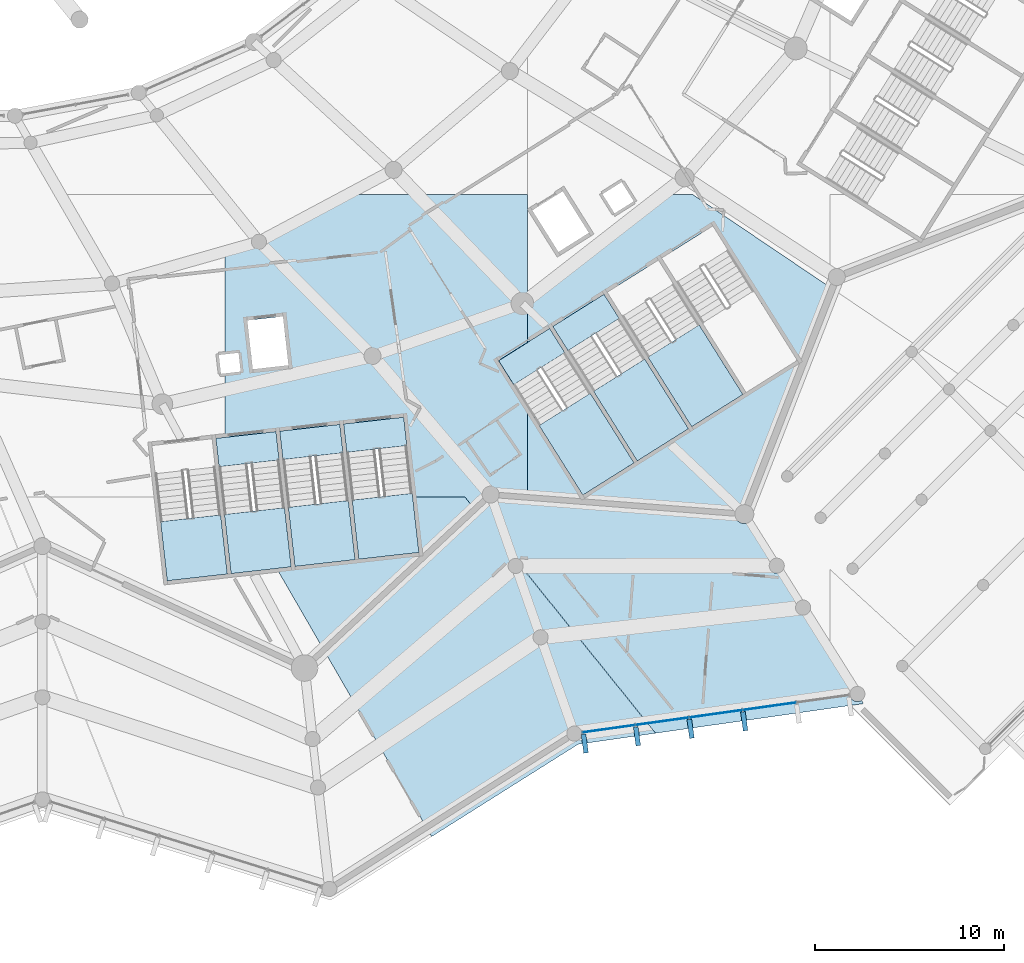
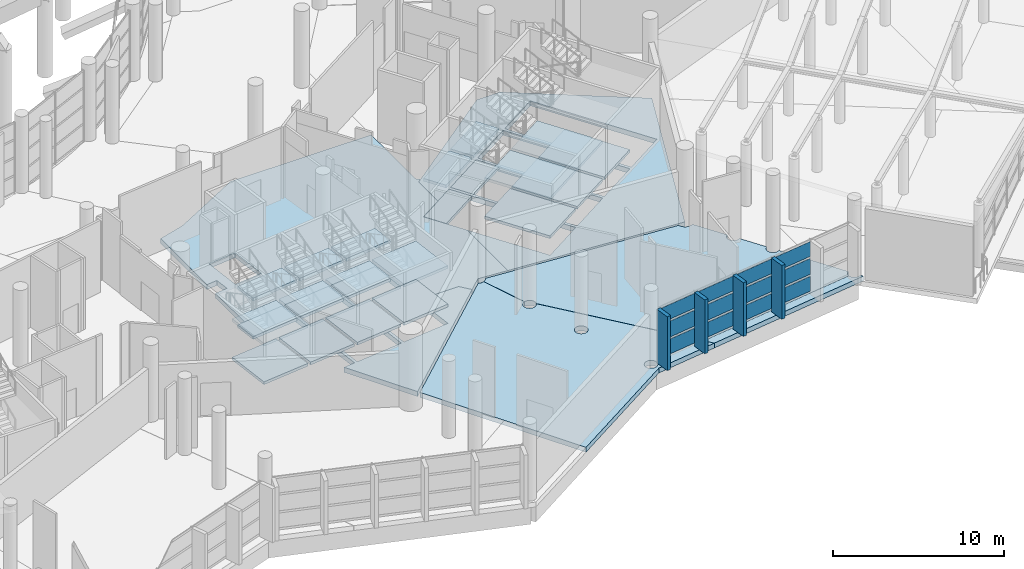
# One storey, part 127 of 271: 29 slabs, 16 plates, 8 elements without a shape of their own.
"""IFC4 building model written with IfcOpenShell, lengths in metres."""

from ifc_helpers import new_model, si_unit, direction, frame, origin, origin_2d, place, context, subcontext, project, spatial, polyline, rectangle, outline, extrude, material, layer, layer_set, type_object, element, aggregate, save


model = new_model("IFC4")

# Units and contexts
model_context = context("Model", 3, precision=1e-05, world=origin(), true_north=direction((0.0, 1.0)))
body_context = subcontext(model_context, "Body", "Model", "MODEL_VIEW")
ifc_project = project(units=[si_unit("LENGTHUNIT", "METRE"), si_unit("AREAUNIT", "SQUARE_METRE"), si_unit("VOLUMEUNIT", "CUBIC_METRE"), si_unit("PLANEANGLEUNIT", "RADIAN"), si_unit("MASSUNIT", "GRAM", prefix="KILO")], contexts=[model_context])

# Site, building, storey
site_placement = place(None, origin())
site = spatial("IfcSite", under=ifc_project, at=site_placement, CompositionType="ELEMENT")
building_placement = place(site_placement, origin())
building = spatial("IfcBuilding", under=site, at=building_placement, Name="Meseta Stadium", CompositionType="ELEMENT")
storey_placement = place(building_placement, frame((0.0, 0.0, 6.5)))
storey = spatial("IfcBuildingStorey", under=building, at=storey_placement, Name="L01", CompositionType="ELEMENT", Elevation=6.5)

# Slabs
ifc_material_1 = material(Name="Concrete C40/50", Category="concrete")
ifc_layer_1 = layer(ifc_material_1, 0.35009765625)
ifc_layer_set_1 = layer_set([ifc_layer_1], Name="Floor slab 350")
slab_type_1 = type_object("IfcSlabType", Name="Floor slab 350", PredefinedType="FLOOR", material=ifc_layer_set_1)
slab_1_placement = place(storey_placement, frame((0.0, 0.0, -0.35009765625)))
element("IfcSlab", 1, at=slab_1_placement, inside=storey, type_object=slab_type_1, Name="Floor slab L01 sector 49 panel 06", PredefinedType="FLOOR", context=body_context, shape_type="SweptSolid", body=[
    extrude(outline(polyline([(50.72998046875, -99.783447265625), (53.224609375, -104.099365234375), (61.21435546875, -96.653076171875), (60.687255859375, -96.0), (57.92529296875, -96.0), (58.256103515625, -98.935302734375), (55.076171875, -99.293701171875), (54.705078125, -96.0), (54.50390625, -96.0), (54.87744140625, -99.316162109375), (51.697509765625, -99.67431640625), (51.28369140625, -96.0), (51.082275390625, -96.0), (51.498779296875, -99.69677734375), (50.72998046875, -99.783447265625)])), origin(), (0.0, 0.0, 1.0), 0.35009765625),
])
slab_2_placement = place(storey_placement, frame((0.0, 0.0, -0.35009765625)))
element("IfcSlab", 2, at=slab_2_placement, inside=storey, type_object=slab_type_1, Name="Floor slab L01 sector 49 panel 07", PredefinedType="FLOOR", context=body_context, shape_type="SweptSolid", body=[
    extrude(outline(polyline([(62.051513671875, -95.872802734375), (64.0, -96.023193359375), (64.0, -91.239990234375), (62.45947265625, -88.788330078125), (64.0, -87.8203125), (64.0, -85.5615234375), (64.224365234375, -85.386962890625), (64.0, -85.181396484375), (64.0, -80.0), (54.4716796875, -80.0), (49.791015625, -82.498779296875), (48.0, -83.007568359375), (48.0, -88.452880859375), (48.71337890625, -88.37255859375), (48.825439453125, -89.3662109375), (48.0, -89.459228515625), (48.0, -92.845458984375), (50.692626953125, -92.5419921875), (51.082275390625, -96.0), (51.28369140625, -96.0), (50.8916015625, -92.519775390625), (54.0712890625, -92.161376953125), (54.50390625, -96.0), (54.705078125, -96.0), (54.27001953125, -92.138916015625), (57.449951171875, -91.78076171875), (57.92529296875, -96.0), (60.687255859375, -96.0), (61.21435546875, -96.653076171875), (62.051513671875, -95.872802734375)]), holes=[polyline([(49.174560546875, -86.66015625), (51.0625, -86.447265625), (51.353759765625, -89.031005859375), (49.4658203125, -89.24365234375), (49.174560546875, -86.66015625)])]), origin(), (0.0, 0.0, 1.0), 0.35009765625),
])
slab_3_placement = place(storey_placement, frame((0.0, 0.0, -0.35009765625)))
element("IfcSlab", 3, at=slab_3_placement, inside=storey, type_object=slab_type_1, Name="Floor slab L01 sector 49 panel 11", PredefinedType="FLOOR", context=body_context, shape_type="SweptSolid", body=[
    extrude(outline(polyline([(64.0, -91.239990234375), (64.0, -96.023193359375), (75.474609375, -96.908447265625), (75.825927734375, -96.00732421875), (75.818115234375, -96.0), (75.828857421875, -96.0), (80.124267578125, -84.98388671875), (72.741455078125, -80.0), (71.144287109375, -80.0), (64.0, -85.5615234375), (64.0, -87.8203125), (65.1689453125, -87.085693359375), (69.63818359375, -94.1982421875), (66.9287109375, -95.90087890625), (64.0, -91.239990234375)]), holes=[polyline([(65.33837890625, -86.9794921875), (68.0478515625, -85.27685546875), (72.516845703125, -92.389404296875), (69.807373046875, -94.091796875), (65.33837890625, -86.9794921875)]), polyline([(68.21728515625, -85.17041015625), (70.9267578125, -83.468017578125), (75.395751953125, -90.58056640625), (72.686279296875, -92.282958984375), (68.21728515625, -85.17041015625)]), polyline([(71.09619140625, -83.361572265625), (73.8056640625, -81.6591796875), (78.274658203125, -88.771484375), (75.565185546875, -90.47412109375), (71.09619140625, -83.361572265625)])]), origin(), (0.0, 0.0, 1.0), 0.35009765625),
])
slab_4_placement = place(storey_placement, frame((0.0, 0.0, -0.35009765625)))
element("IfcSlab", 4, at=slab_4_placement, inside=storey, type_object=slab_type_1, Name="Ring floor slab L01 7 part 2 panel 03", PredefinedType="FLOOR", context=body_context, shape_type="SweptSolid", body=[
    extrude(outline(polyline([(63.372802734375, -100.0517578125), (63.268310546875, -100.0380859375), (63.1708984375, -99.997802734375), (63.08740234375, -99.93359375), (63.023193359375, -99.85009765625), (62.98291015625, -99.752685546875), (62.96923828125, -99.648193359375), (62.98291015625, -99.543701171875), (63.023193359375, -99.446533203125), (63.08740234375, -99.363037109375), (63.1708984375, -99.298828125), (63.240478515625, -99.270263671875), (62.200439453125, -96.298095703125), (62.1689453125, -96.31103515625), (62.051513671875, -96.32666015625), (61.93408203125, -96.31103515625), (61.842041015625, -96.27294921875), (53.3017578125, -104.232666015625), (58.92919921875, -113.96826171875), (66.675537109375, -109.087158203125), (70.776611328125, -108.501708984375), (63.74658203125, -99.790771484375), (63.72216796875, -99.85009765625), (63.657958984375, -99.93359375), (63.574462890625, -99.997802734375), (63.47705078125, -100.0380859375), (63.372802734375, -100.0517578125)]), holes=[polyline([(66.82666015625, -108.319091796875), (66.866943359375, -108.416259765625), (66.880859375, -108.520751953125), (66.866943359375, -108.625244140625), (66.82666015625, -108.722412109375), (66.7626953125, -108.805908203125), (66.678955078125, -108.8701171875), (66.581787109375, -108.910400390625), (66.477294921875, -108.92431640625), (66.372802734375, -108.910400390625), (66.275634765625, -108.8701171875), (66.19189453125, -108.805908203125), (66.1279296875, -108.722412109375), (66.087646484375, -108.625244140625), (66.073974609375, -108.520751953125), (66.087646484375, -108.416259765625), (66.1279296875, -108.319091796875), (66.19189453125, -108.235595703125), (66.275634765625, -108.17138671875), (66.372802734375, -108.131103515625), (66.477294921875, -108.1171875), (66.581787109375, -108.131103515625), (66.678955078125, -108.17138671875), (66.7626953125, -108.235595703125), (66.82666015625, -108.319091796875)]), polyline([(65.08349609375, -103.5283203125), (65.043212890625, -103.62548828125), (64.97900390625, -103.708984375), (64.8955078125, -103.773193359375), (64.798095703125, -103.8134765625), (64.69384765625, -103.8271484375), (64.58935546875, -103.8134765625), (64.4921875, -103.773193359375), (64.408447265625, -103.708984375), (64.344482421875, -103.62548828125), (64.30419921875, -103.5283203125), (64.290283203125, -103.423828125), (64.30419921875, -103.3193359375), (64.344482421875, -103.22216796875), (64.408447265625, -103.138427734375), (64.4921875, -103.074462890625), (64.58935546875, -103.0341796875), (64.69384765625, -103.020263671875), (64.798095703125, -103.0341796875), (64.8955078125, -103.074462890625), (64.97900390625, -103.138427734375), (65.043212890625, -103.22216796875), (65.08349609375, -103.3193359375), (65.09716796875, -103.423828125), (65.08349609375, -103.5283203125)])]), origin(), (0.0, 0.0, 1.0), 0.35009765625),
])
slab_5_placement = place(storey_placement, frame((0.0, 0.0, -0.35009765625)))
element("IfcSlab", 5, at=slab_5_placement, inside=storey, type_object=slab_type_1, Name="Ring floor slab L01 7 part 2 panel 04", PredefinedType="FLOOR", context=body_context, shape_type="SweptSolid", body=[
    extrude(outline(polyline([(81.16845703125, -106.138916015625), (81.239990234375, -106.083984375), (80.0, -104.110595703125), (80.0, -104.112548828125), (78.793701171875, -102.192626953125), (78.782470703125, -102.201416015625), (78.68505859375, -102.24169921875), (78.580810546875, -102.25537109375), (78.476318359375, -102.24169921875), (78.37890625, -102.201416015625), (78.29541015625, -102.13720703125), (78.231201171875, -102.0537109375), (78.19091796875, -101.956298828125), (78.18310546875, -101.89697265625), (78.17724609375, -101.851806640625), (78.19091796875, -101.747314453125), (78.231201171875, -101.650146484375), (78.29541015625, -101.566650390625), (78.3662109375, -101.51220703125), (77.400146484375, -99.97509765625), (77.388916015625, -99.983642578125), (77.291748046875, -100.02392578125), (77.187255859375, -100.03759765625), (77.082763671875, -100.02392578125), (76.985595703125, -99.983642578125), (76.902099609375, -99.91943359375), (76.837890625, -99.8359375), (76.797607421875, -99.738525390625), (76.783935546875, -99.634521484375), (76.797607421875, -99.52978515625), (76.837890625, -99.4326171875), (76.902099609375, -99.348876953125), (76.97265625, -99.294677734375), (75.740966796875, -97.33447265625), (75.74169921875, -97.333740234375), (75.726806640625, -97.34521484375), (75.60498046875, -97.395751953125), (75.474609375, -97.412841796875), (75.343994140625, -97.395751953125), (75.222412109375, -97.34521484375), (75.117919921875, -97.26513671875), (75.037841796875, -97.16064453125), (74.9873046875, -97.0390625), (74.985107421875, -97.021240234375), (62.463134765625, -96.054931640625), (62.444580078125, -96.099609375), (62.37255859375, -96.193603515625), (62.278564453125, -96.265869140625), (62.21142578125, -96.29345703125), (62.211669921875, -96.294189453125), (63.25146484375, -99.265625), (63.268310546875, -99.258544921875), (63.372802734375, -99.244873046875), (63.47705078125, -99.258544921875), (63.574462890625, -99.298828125), (63.657958984375, -99.363037109375), (63.72216796875, -99.446533203125), (63.762451171875, -99.543701171875), (63.77587890625, -99.64794921875), (63.762451171875, -99.752685546875), (63.751220703125, -99.77978515625), (63.752197265625, -99.7802734375), (63.75341796875, -99.781005859375), (63.75439453125, -99.781494140625), (63.755126953125, -99.782470703125), (63.755859375, -99.783203125), (70.367919921875, -107.976318359375), (81.0576171875, -106.479736328125), (81.05029296875, -106.42431640625), (81.06396484375, -106.31982421875), (81.104248046875, -106.222412109375), (81.16845703125, -106.138916015625)])), origin(), (0.0, 0.0, 1.0), 0.35009765625),
])
slab_6_placement = place(storey_placement, frame((0.0, 0.0, -0.35009765625)))
element("IfcSlab", 6, at=slab_6_placement, inside=storey, type_object=slab_type_1, Name="Ring floor slab L01 7 part 2 panel 05", PredefinedType="FLOOR", context=body_context, shape_type="SweptSolid", body=[
    extrude(outline(polyline([(81.104248046875, -106.6259765625), (81.06396484375, -106.528564453125), (81.0576171875, -106.479736328125), (70.35400390625, -107.97802734375), (70.776611328125, -108.501708984375), (81.77294921875, -106.93212890625), (81.66748046875, -106.764404296875), (81.655517578125, -106.773681640625), (81.55810546875, -106.81396484375), (81.45361328125, -106.82763671875), (81.34912109375, -106.81396484375), (81.251953125, -106.773681640625), (81.16845703125, -106.70947265625), (81.104248046875, -106.6259765625)])), origin(), (0.0, 0.0, 1.0), 0.35009765625),
])

# Curtain wall, plates
ifc_material_2 = material(Name="Aluminium", Category="aluminium")
ifc_layer_2 = layer(ifc_material_2, 0.199951171875)
ifc_layer_set_2 = layer_set([ifc_layer_2], Name="Ring shopfront curtain wall")
curtain_wall_type = type_object("IfcCurtainWallType", Name="Ring shopfront curtain wall", PredefinedType="NOTDEFINED", material=ifc_layer_set_2)
curtain_wall_placement = place(storey_placement, origin())
curtain_wall = element("IfcCurtainWall", 7, at=curtain_wall_placement, inside=storey, type_object=curtain_wall_type, Name="Ring glazing L01 F51", PredefinedType="NOTDEFINED")
ifc_material_3 = material(Name="Glass", Category="glass")
ifc_layer_3 = layer(ifc_material_3, 0.035888671875)
ifc_layer_set_3 = layer_set([ifc_layer_3], Name="Ring CW glass panel 36")
plate_type_1 = type_object("IfcPlateType", Name="Ring CW glass panel 36", PredefinedType="CURTAIN_PANEL", material=ifc_layer_set_3)
plate_1_placement = place(storey_placement, frame((68.306640625, -108.2646484375, 0.14990234375), z_axis=(0.0, 0.0, 1.0), x_axis=(0.990342456098, 0.13864277713, 0.0)))
plate_1 = element("IfcPlate", 8, at=plate_1_placement, type_object=plate_type_1, Name="CWR1 panel 1.1", PredefinedType="CURTAIN_PANEL", context=body_context, shape_type="SweptSolid", body=[
    extrude(rectangle(XDim=2.7744140625, YDim=0.035888671875, at=origin_2d()), origin(), (0.0, 0.0, 1.0), 1.058349609375),
])
plate_2_placement = place(storey_placement, frame((68.306640625, -108.2646484375, 1.3583984375), z_axis=(0.0, 0.0, 1.0), x_axis=(0.990342456098, 0.13864277713, 0.0)))
plate_2 = element("IfcPlate", 9, at=plate_2_placement, type_object=plate_type_1, Name="CWR1 panel 1.2", PredefinedType="CURTAIN_PANEL", context=body_context, shape_type="SweptSolid", body=[
    extrude(rectangle(XDim=2.7744140625, YDim=0.035888671875, at=origin_2d()), origin(), (0.0, 0.0, 1.0), 1.13330078125),
])
plate_3_placement = place(storey_placement, frame((68.306640625, -108.2646484375, 2.6416015625), z_axis=(0.0, 0.0, 1.0), x_axis=(0.990342456098, 0.13864277713, 0.0)))
plate_3 = element("IfcPlate", 10, at=plate_3_placement, type_object=plate_type_1, Name="CWR1 panel 1.3", PredefinedType="CURTAIN_PANEL", context=body_context, shape_type="SweptSolid", body=[
    extrude(rectangle(XDim=2.7744140625, YDim=0.035888671875, at=origin_2d()), origin(), (0.0, 0.0, 1.0), 1.058349609375),
])
plate_4_placement = place(storey_placement, frame((71.128662109375, -107.86962890625, 0.14990234375), z_axis=(0.0, 0.0, 1.0), x_axis=(0.990342456098, 0.13864277713, 0.0)))
plate_4 = element("IfcPlate", 11, at=plate_4_placement, type_object=plate_type_1, Name="CWR1 panel 2.1", PredefinedType="CURTAIN_PANEL", context=body_context, shape_type="SweptSolid", body=[
    extrude(rectangle(XDim=2.804443359375, YDim=0.035888671875, at=origin_2d()), origin(), (0.0, 0.0, 1.0), 1.058349609375),
])
plate_5_placement = place(storey_placement, frame((71.128662109375, -107.86962890625, 1.3583984375), z_axis=(0.0, 0.0, 1.0), x_axis=(0.990342456098, 0.13864277713, 0.0)))
plate_5 = element("IfcPlate", 12, at=plate_5_placement, type_object=plate_type_1, Name="CWR1 panel 2.2", PredefinedType="CURTAIN_PANEL", context=body_context, shape_type="SweptSolid", body=[
    extrude(rectangle(XDim=2.804443359375, YDim=0.035888671875, at=origin_2d()), origin(), (0.0, 0.0, 1.0), 1.13330078125),
])
plate_6_placement = place(storey_placement, frame((71.128662109375, -107.86962890625, 2.6416015625), z_axis=(0.0, 0.0, 1.0), x_axis=(0.990342456098, 0.13864277713, 0.0)))
plate_6 = element("IfcPlate", 13, at=plate_6_placement, type_object=plate_type_1, Name="CWR1 panel 2.3", PredefinedType="CURTAIN_PANEL", context=body_context, shape_type="SweptSolid", body=[
    extrude(rectangle(XDim=2.804443359375, YDim=0.035888671875, at=origin_2d()), origin(), (0.0, 0.0, 1.0), 1.058349609375),
])
plate_7_placement = place(storey_placement, frame((73.96533203125, -107.472412109375, 0.14990234375), z_axis=(0.0, 0.0, 1.0), x_axis=(0.990342456098, 0.13864277713, 0.0)))
plate_7 = element("IfcPlate", 14, at=plate_7_placement, type_object=plate_type_1, Name="CWR1 panel 3.1", PredefinedType="CURTAIN_PANEL", context=body_context, shape_type="SweptSolid", body=[
    extrude(rectangle(XDim=2.804443359375, YDim=0.035888671875, at=origin_2d()), origin(), (0.0, 0.0, 1.0), 1.058349609375),
])
plate_8_placement = place(storey_placement, frame((73.96533203125, -107.472412109375, 1.3583984375), z_axis=(0.0, 0.0, 1.0), x_axis=(0.990342456098, 0.13864277713, 0.0)))
plate_8 = element("IfcPlate", 15, at=plate_8_placement, type_object=plate_type_1, Name="CWR1 panel 3.2", PredefinedType="CURTAIN_PANEL", context=body_context, shape_type="SweptSolid", body=[
    extrude(rectangle(XDim=2.804443359375, YDim=0.035888671875, at=origin_2d()), origin(), (0.0, 0.0, 1.0), 1.13330078125),
])
plate_9_placement = place(storey_placement, frame((73.96533203125, -107.472412109375, 2.6416015625), z_axis=(0.0, 0.0, 1.0), x_axis=(0.990342456098, 0.13864277713, 0.0)))
plate_9 = element("IfcPlate", 16, at=plate_9_placement, type_object=plate_type_1, Name="CWR1 panel 3.3", PredefinedType="CURTAIN_PANEL", context=body_context, shape_type="SweptSolid", body=[
    extrude(rectangle(XDim=2.804443359375, YDim=0.035888671875, at=origin_2d()), origin(), (0.0, 0.0, 1.0), 1.058349609375),
])
plate_10_placement = place(storey_placement, frame((76.80224609375, -107.0751953125, 0.14990234375), z_axis=(0.0, 0.0, 1.0), x_axis=(0.990342456098, 0.13864277713, 0.0)))
plate_10 = element("IfcPlate", 17, at=plate_10_placement, type_object=plate_type_1, Name="CWR1 panel 4.1", PredefinedType="CURTAIN_PANEL", context=body_context, shape_type="SweptSolid", body=[
    extrude(rectangle(XDim=2.804443359375, YDim=0.035888671875, at=origin_2d()), origin(), (0.0, 0.0, 1.0), 1.058349609375),
])
plate_11_placement = place(storey_placement, frame((76.80224609375, -107.0751953125, 1.3583984375), z_axis=(0.0, 0.0, 1.0), x_axis=(0.990342456098, 0.13864277713, 0.0)))
plate_11 = element("IfcPlate", 18, at=plate_11_placement, type_object=plate_type_1, Name="CWR1 panel 4.2", PredefinedType="CURTAIN_PANEL", context=body_context, shape_type="SweptSolid", body=[
    extrude(rectangle(XDim=2.804443359375, YDim=0.035888671875, at=origin_2d()), origin(), (0.0, 0.0, 1.0), 1.13330078125),
])
plate_12_placement = place(storey_placement, frame((76.80224609375, -107.0751953125, 2.6416015625), z_axis=(0.0, 0.0, 1.0), x_axis=(0.990342456098, 0.13864277713, 0.0)))
plate_12 = element("IfcPlate", 19, at=plate_12_placement, type_object=plate_type_1, Name="CWR1 panel 4.3", PredefinedType="CURTAIN_PANEL", context=body_context, shape_type="SweptSolid", body=[
    extrude(rectangle(XDim=2.804443359375, YDim=0.035888671875, at=origin_2d()), origin(), (0.0, 0.0, 1.0), 1.058349609375),
])
aggregate(curtain_wall, [plate_1, plate_2, plate_3, plate_4, plate_5, plate_6, plate_7, plate_8, plate_9, plate_10, plate_11, plate_12])

# Plates
ifc_material_4 = material(Name="Precast concrete C40/50", Category="concrete")
ifc_layer_4 = layer(ifc_material_4, 0.25)
ifc_layer_set_4 = layer_set([ifc_layer_4], Name="Ring brise-soleil fin 250x1000")
plate_type_2 = type_object("IfcPlateType", Name="Ring brise-soleil fin 250x1000", PredefinedType="USERDEFINED", material=ifc_layer_set_4)
for number, where, z_axis, x_axis, name in (
    (20, (67.031005859375, -109.049072265625, 0.0), (0.0, 0.0, 1.0), (0.990342739746, 0.138640750978, 0.0), "Brise-soleil fin L01 F51.1"),
    (21, (69.79345703125, -108.662353515625, 0.0), (0.0, 0.0, 1.0), (0.990342739746, 0.138640750978, 0.0), "Brise-soleil fin L01 F51.2"),
    (22, (72.63037109375, -108.26513671875, 0.0), (0.0, 0.0, 1.0), (0.990342739746, 0.138640750978, 0.0), "Brise-soleil fin L01 F51.3"),
    (23, (75.467041015625, -107.8681640625, 0.0), (0.0, 0.0, 1.0), (0.990342739746, 0.138640750978, 0.0), "Brise-soleil fin L01 F51.4"),
):
    element("IfcPlate", number, at=place(storey_placement, frame(where, z_axis=z_axis, x_axis=x_axis)), inside=storey, type_object=plate_type_2, Name=name, ObjectType="FIN", PredefinedType="USERDEFINED", context=body_context, shape_type="SweptSolid", body=[
        extrude(rectangle(XDim=0.25, YDim=1.0, at=origin_2d()), origin(), (0.0, 0.0, 1.0), 3.85009765625),
    ])

# Stair, slabs
ifc_material_5 = material(Name="Concrete C40/50", Category="concrete")
stair_type = type_object("IfcStairType", Name="Exit stair 4 flights 153 mm risers", PredefinedType="HALF_TURN_STAIR", material=ifc_material_5)
stair_1_placement = place(storey_placement, origin())
stair_1 = element("IfcStair", 24, at=stair_1_placement, inside=storey, type_object=stair_type, Name="ST101 L01", PredefinedType="HALF_TURN_STAIR")
ifc_material_6 = material(Name="Concrete C40/50", Category="concrete")
ifc_layer_5 = layer(ifc_material_6, 0.199951171875)
ifc_layer_set_5 = layer_set([ifc_layer_5], Name="Stair landing 200")
slab_type_2 = type_object("IfcSlabType", Name="Stair landing 200", PredefinedType="LANDING", material=ifc_layer_set_5)
slab_7_placement = place(storey_placement, frame((0.0, 0.0, 1.175048828125)))
slab_7 = element("IfcSlab", 25, at=slab_7_placement, type_object=slab_type_2, Name="ST101 L01 landing 1", PredefinedType="LANDING", context=body_context, shape_type="SweptSolid", body=[
    extrude(outline(polyline([(44.587646484375, -97.3056640625), (44.9404296875, -100.435791015625), (48.1201171875, -100.077392578125), (47.767578125, -96.947265625), (44.587646484375, -97.3056640625)])), origin(), (0.0, 0.0, 1.0), 0.199951171875),
])
slab_8_placement = place(storey_placement, frame((0.0, 0.0, 3.925048828125)))
slab_8 = element("IfcSlab", 26, at=slab_8_placement, type_object=slab_type_2, Name="ST101 L01 landing 3", PredefinedType="LANDING", context=body_context, shape_type="SweptSolid", body=[
    extrude(outline(polyline([(44.587646484375, -97.3056640625), (44.9404296875, -100.435791015625), (48.1201171875, -100.077392578125), (47.767578125, -96.947265625), (44.587646484375, -97.3056640625)])), origin(), (0.0, 0.0, 1.0), 0.199951171875),
])
aggregate(stair_1, [slab_7, slab_8])

stair_2_placement = place(storey_placement, origin())
stair_2 = element("IfcStair", 27, at=stair_2_placement, inside=storey, type_object=stair_type, Name="ST102 L01", PredefinedType="HALF_TURN_STAIR")
slab_9_placement = place(storey_placement, frame((0.0, 0.0, 1.175048828125)))
slab_9 = element("IfcSlab", 28, at=slab_9_placement, type_object=slab_type_2, Name="ST102 L01 landing 1", PredefinedType="LANDING", context=body_context, shape_type="SweptSolid", body=[
    extrude(outline(polyline([(47.96630859375, -96.9248046875), (48.319091796875, -100.05517578125), (51.498779296875, -99.69677734375), (51.146240234375, -96.566650390625), (47.96630859375, -96.9248046875)])), origin(), (0.0, 0.0, 1.0), 0.199951171875),
])
slab_10_placement = place(storey_placement, frame((0.0, 0.0, 2.550048828125)))
slab_10 = element("IfcSlab", 29, at=slab_10_placement, type_object=slab_type_2, Name="ST102 L01 landing 2", PredefinedType="LANDING", context=body_context, shape_type="SweptSolid", body=[
    extrude(outline(polyline([(47.512939453125, -92.900390625), (47.681884765625, -94.40087890625), (50.86181640625, -94.04248046875), (50.692626953125, -92.5419921875), (47.512939453125, -92.900390625)])), origin(), (0.0, 0.0, 1.0), 0.199951171875),
])
slab_11_placement = place(storey_placement, frame((0.0, 0.0, 3.925048828125)))
slab_11 = element("IfcSlab", 30, at=slab_11_placement, type_object=slab_type_2, Name="ST102 L01 landing 3", PredefinedType="LANDING", context=body_context, shape_type="SweptSolid", body=[
    extrude(outline(polyline([(47.96630859375, -96.9248046875), (48.319091796875, -100.05517578125), (51.498779296875, -99.69677734375), (51.146240234375, -96.566650390625), (47.96630859375, -96.9248046875)])), origin(), (0.0, 0.0, 1.0), 0.199951171875),
])
slab_12_placement = place(storey_placement, frame((0.0, 0.0, -0.199951171875)))
slab_12 = element("IfcSlab", 31, at=slab_12_placement, type_object=slab_type_2, Name="ST102 L01 landing 4", PredefinedType="LANDING", context=body_context, shape_type="SweptSolid", body=[
    extrude(outline(polyline([(47.512939453125, -92.900390625), (47.681884765625, -94.40087890625), (50.86181640625, -94.04248046875), (50.692626953125, -92.5419921875), (47.512939453125, -92.900390625)])), origin(), (0.0, 0.0, 1.0), 0.199951171875),
])
aggregate(stair_2, [slab_9, slab_10, slab_11, slab_12])

stair_3_placement = place(storey_placement, origin())
stair_3 = element("IfcStair", 32, at=stair_3_placement, inside=storey, type_object=stair_type, Name="ST103 L01", PredefinedType="HALF_TURN_STAIR")
slab_13_placement = place(storey_placement, frame((0.0, 0.0, 1.175048828125)))
slab_13 = element("IfcSlab", 33, at=slab_13_placement, type_object=slab_type_2, Name="ST103 L01 landing 1", PredefinedType="LANDING", context=body_context, shape_type="SweptSolid", body=[
    extrude(outline(polyline([(51.344970703125, -96.544189453125), (51.697509765625, -99.67431640625), (54.87744140625, -99.316162109375), (54.52490234375, -96.18603515625), (51.344970703125, -96.544189453125)])), origin(), (0.0, 0.0, 1.0), 0.199951171875),
])
slab_14_placement = place(storey_placement, frame((0.0, 0.0, 2.550048828125)))
slab_14 = element("IfcSlab", 34, at=slab_14_placement, type_object=slab_type_2, Name="ST103 L01 landing 2", PredefinedType="LANDING", context=body_context, shape_type="SweptSolid", body=[
    extrude(outline(polyline([(50.891357421875, -92.519775390625), (51.060546875, -94.020263671875), (54.240478515625, -93.661865234375), (54.0712890625, -92.161376953125), (50.891357421875, -92.519775390625)])), origin(), (0.0, 0.0, 1.0), 0.199951171875),
])
slab_15_placement = place(storey_placement, frame((0.0, 0.0, 3.925048828125)))
slab_15 = element("IfcSlab", 35, at=slab_15_placement, type_object=slab_type_2, Name="ST103 L01 landing 3", PredefinedType="LANDING", context=body_context, shape_type="SweptSolid", body=[
    extrude(outline(polyline([(51.344970703125, -96.544189453125), (51.697509765625, -99.67431640625), (54.87744140625, -99.316162109375), (54.52490234375, -96.18603515625), (51.344970703125, -96.544189453125)])), origin(), (0.0, 0.0, 1.0), 0.199951171875),
])
slab_16_placement = place(storey_placement, frame((0.0, 0.0, -0.199951171875)))
slab_16 = element("IfcSlab", 36, at=slab_16_placement, type_object=slab_type_2, Name="ST103 L01 landing 4", PredefinedType="LANDING", context=body_context, shape_type="SweptSolid", body=[
    extrude(outline(polyline([(50.891357421875, -92.519775390625), (51.060546875, -94.020263671875), (54.240478515625, -93.661865234375), (54.0712890625, -92.161376953125), (50.891357421875, -92.519775390625)])), origin(), (0.0, 0.0, 1.0), 0.199951171875),
])
aggregate(stair_3, [slab_13, slab_14, slab_15, slab_16])

stair_4_placement = place(storey_placement, origin())
stair_4 = element("IfcStair", 37, at=stair_4_placement, inside=storey, type_object=stair_type, Name="ST104 L01", PredefinedType="HALF_TURN_STAIR")
slab_17_placement = place(storey_placement, frame((0.0, 0.0, 1.175048828125)))
slab_17 = element("IfcSlab", 38, at=slab_17_placement, type_object=slab_type_2, Name="ST104 L01 landing 1", PredefinedType="LANDING", context=body_context, shape_type="SweptSolid", body=[
    extrude(outline(polyline([(54.7236328125, -96.16357421875), (55.076171875, -99.293701171875), (58.256103515625, -98.935546875), (57.9033203125, -95.80517578125), (54.7236328125, -96.16357421875)])), origin(), (0.0, 0.0, 1.0), 0.199951171875),
])
slab_18_placement = place(storey_placement, frame((0.0, 0.0, 2.550048828125)))
slab_18 = element("IfcSlab", 39, at=slab_18_placement, type_object=slab_type_2, Name="ST104 L01 landing 2", PredefinedType="LANDING", context=body_context, shape_type="SweptSolid", body=[
    extrude(outline(polyline([(54.27001953125, -92.138916015625), (54.439208984375, -93.639404296875), (57.618896484375, -93.28125), (57.449951171875, -91.78076171875), (54.27001953125, -92.138916015625)])), origin(), (0.0, 0.0, 1.0), 0.199951171875),
])
slab_19_placement = place(storey_placement, frame((0.0, 0.0, 3.925048828125)))
slab_19 = element("IfcSlab", 40, at=slab_19_placement, type_object=slab_type_2, Name="ST104 L01 landing 3", PredefinedType="LANDING", context=body_context, shape_type="SweptSolid", body=[
    extrude(outline(polyline([(54.7236328125, -96.16357421875), (55.076171875, -99.293701171875), (58.256103515625, -98.935546875), (57.9033203125, -95.80517578125), (54.7236328125, -96.16357421875)])), origin(), (0.0, 0.0, 1.0), 0.199951171875),
])
slab_20_placement = place(storey_placement, frame((0.0, 0.0, -0.199951171875)))
slab_20 = element("IfcSlab", 41, at=slab_20_placement, type_object=slab_type_2, Name="ST104 L01 landing 4", PredefinedType="LANDING", context=body_context, shape_type="SweptSolid", body=[
    extrude(outline(polyline([(54.27001953125, -92.138916015625), (54.439208984375, -93.639404296875), (57.618896484375, -93.28125), (57.449951171875, -91.78076171875), (54.27001953125, -92.138916015625)])), origin(), (0.0, 0.0, 1.0), 0.199951171875),
])
aggregate(stair_4, [slab_17, slab_18, slab_19, slab_20])

stair_5_placement = place(storey_placement, origin())
stair_5 = element("IfcStair", 42, at=stair_5_placement, inside=storey, type_object=stair_type, Name="ST105 L01", PredefinedType="HALF_TURN_STAIR")
slab_21_placement = place(storey_placement, frame((0.0, 0.0, 1.175048828125)))
slab_21 = element("IfcSlab", 43, at=slab_21_placement, type_object=slab_type_2, Name="ST105 L01 landing 1", PredefinedType="LANDING", context=body_context, shape_type="SweptSolid", body=[
    extrude(outline(polyline([(64.6142578125, -92.217529296875), (66.928466796875, -95.90087890625), (69.63818359375, -94.1982421875), (67.32373046875, -90.51513671875), (64.6142578125, -92.217529296875)])), origin(), (0.0, 0.0, 1.0), 0.199951171875),
])
slab_22_placement = place(storey_placement, frame((0.0, 0.0, 2.550048828125)))
slab_22 = element("IfcSlab", 44, at=slab_22_placement, type_object=slab_type_2, Name="ST105 L01 landing 2", PredefinedType="LANDING", context=body_context, shape_type="SweptSolid", body=[
    extrude(outline(polyline([(62.45947265625, -88.788330078125), (63.262939453125, -90.06689453125), (65.972412109375, -88.364501953125), (65.1689453125, -87.0859375), (62.45947265625, -88.788330078125)])), origin(), (0.0, 0.0, 1.0), 0.199951171875),
])
slab_23_placement = place(storey_placement, frame((0.0, 0.0, 3.925048828125)))
slab_23 = element("IfcSlab", 45, at=slab_23_placement, type_object=slab_type_2, Name="ST105 L01 landing 3", PredefinedType="LANDING", context=body_context, shape_type="SweptSolid", body=[
    extrude(outline(polyline([(64.6142578125, -92.217529296875), (66.928466796875, -95.90087890625), (69.63818359375, -94.1982421875), (67.32373046875, -90.51513671875), (64.6142578125, -92.217529296875)])), origin(), (0.0, 0.0, 1.0), 0.199951171875),
])
slab_24_placement = place(storey_placement, frame((0.0, 0.0, -0.199951171875)))
slab_24 = element("IfcSlab", 46, at=slab_24_placement, type_object=slab_type_2, Name="ST105 L01 landing 4", PredefinedType="LANDING", context=body_context, shape_type="SweptSolid", body=[
    extrude(outline(polyline([(65.1689453125, -87.085693359375), (64.011962890625, -87.812744140625), (64.011962890625, -87.8203125), (64.011962890625, -87.821533203125), (64.01171875, -87.82275390625), (64.011474609375, -87.823974609375), (64.010986328125, -87.824951171875), (64.010498046875, -87.826171875), (64.010009765625, -87.8271484375), (64.009033203125, -87.828125), (64.00830078125, -87.8291015625), (64.00732421875, -87.829833984375), (64.00634765625, -87.83056640625), (62.47607421875, -88.7919921875), (63.27294921875, -90.060546875), (65.972412109375, -88.364501953125), (65.1689453125, -87.085693359375)])), origin(), (0.0, 0.0, 1.0), 0.199951171875),
])
aggregate(stair_5, [slab_21, slab_22, slab_23, slab_24])

stair_6_placement = place(storey_placement, origin())
stair_6 = element("IfcStair", 47, at=stair_6_placement, inside=storey, type_object=stair_type, Name="ST106 L01", PredefinedType="HALF_TURN_STAIR")
slab_25_placement = place(storey_placement, frame((0.0, 0.0, 1.175048828125)))
slab_25 = element("IfcSlab", 48, at=slab_25_placement, type_object=slab_type_2, Name="ST106 L01 landing 1", PredefinedType="LANDING", context=body_context, shape_type="SweptSolid", body=[
    extrude(outline(polyline([(67.4931640625, -90.40869140625), (69.807373046875, -94.091796875), (72.516845703125, -92.389404296875), (70.20263671875, -88.7060546875), (67.4931640625, -90.40869140625)])), origin(), (0.0, 0.0, 1.0), 0.199951171875),
])
slab_26_placement = place(storey_placement, frame((0.0, 0.0, 2.550048828125)))
slab_26 = element("IfcSlab", 49, at=slab_26_placement, type_object=slab_type_2, Name="ST106 L01 landing 2", PredefinedType="LANDING", context=body_context, shape_type="SweptSolid", body=[
    extrude(outline(polyline([(65.33837890625, -86.9794921875), (66.1416015625, -88.258056640625), (68.851318359375, -86.555419921875), (68.0478515625, -85.27685546875), (65.33837890625, -86.9794921875)])), origin(), (0.0, 0.0, 1.0), 0.199951171875),
])
slab_27_placement = place(storey_placement, frame((0.0, 0.0, 3.925048828125)))
slab_27 = element("IfcSlab", 50, at=slab_27_placement, type_object=slab_type_2, Name="ST106 L01 landing 3", PredefinedType="LANDING", context=body_context, shape_type="SweptSolid", body=[
    extrude(outline(polyline([(67.4931640625, -90.40869140625), (69.807373046875, -94.091796875), (72.516845703125, -92.389404296875), (70.20263671875, -88.7060546875), (67.4931640625, -90.40869140625)])), origin(), (0.0, 0.0, 1.0), 0.199951171875),
])
slab_28_placement = place(storey_placement, frame((0.0, 0.0, -0.199951171875)))
slab_28 = element("IfcSlab", 51, at=slab_28_placement, type_object=slab_type_2, Name="ST106 L01 landing 4", PredefinedType="LANDING", context=body_context, shape_type="SweptSolid", body=[
    extrude(outline(polyline([(65.33837890625, -86.9794921875), (66.1416015625, -88.258056640625), (68.851318359375, -86.555419921875), (68.0478515625, -85.27685546875), (65.33837890625, -86.9794921875)])), origin(), (0.0, 0.0, 1.0), 0.199951171875),
])
aggregate(stair_6, [slab_25, slab_26, slab_27, slab_28])

# Stair, slab
stair_7_placement = place(storey_placement, origin())
stair_7 = element("IfcStair", 52, at=stair_7_placement, inside=storey, type_object=stair_type, Name="ST107 L01", PredefinedType="HALF_TURN_STAIR")
slab_29_placement = place(storey_placement, frame((0.0, 0.0, 1.175048828125)))
slab_29 = element("IfcSlab", 53, at=slab_29_placement, type_object=slab_type_2, Name="ST107 L01 landing 1", PredefinedType="LANDING", context=body_context, shape_type="SweptSolid", body=[
    extrude(outline(polyline([(70.371826171875, -88.599853515625), (72.686279296875, -92.282958984375), (75.395751953125, -90.58056640625), (73.08154296875, -86.897216796875), (70.371826171875, -88.599853515625)])), origin(), (0.0, 0.0, 1.0), 0.199951171875),
])
aggregate(stair_7, [slab_29])

save(model, "model.ifc")
